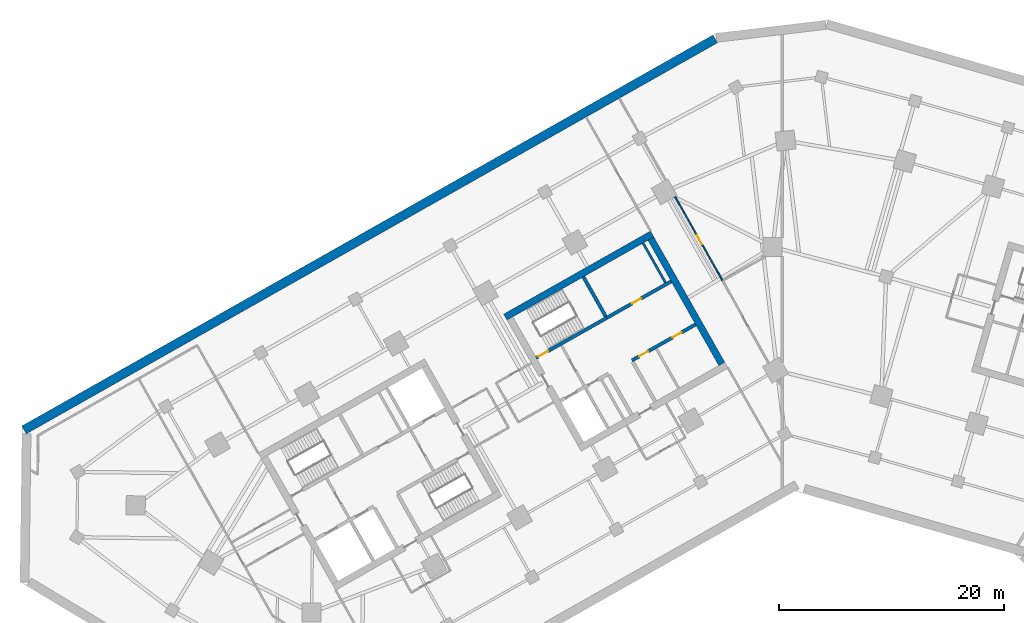
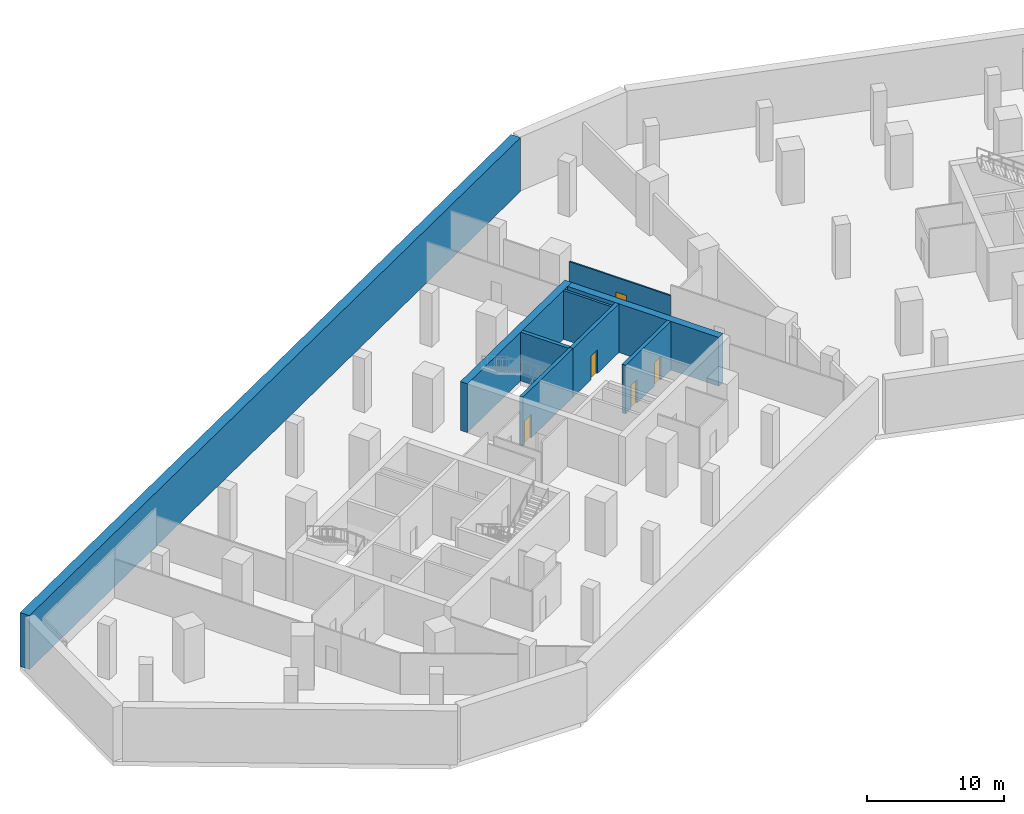
# One storey, part 7 of 13: 9 walls, 5 doors, 5 openings.
"""IFC4 building model written with IfcOpenShell, lengths in metres."""

from ifc_helpers import new_model, si_unit, direction, frame, frame_2d, origin, place, context, subcontext, project, spatial, rectangle, extrude, material, layer, layer_set, type_object, element, fill, save


model = new_model("IFC4")

# Units and contexts
model_context = context("Model", 3, precision=1e-05, world=origin(), true_north=direction((0.0, 1.0)))
body_context = subcontext(model_context, "Body", "Model", "MODEL_VIEW")
ifc_project = project(units=[si_unit("LENGTHUNIT", "METRE"), si_unit("AREAUNIT", "SQUARE_METRE"), si_unit("VOLUMEUNIT", "CUBIC_METRE"), si_unit("PLANEANGLEUNIT", "RADIAN"), si_unit("MASSUNIT", "GRAM", prefix="KILO")], contexts=[model_context])

# Site, building, storey
site_placement = place(None, origin())
site = spatial("IfcSite", under=ifc_project, at=site_placement, CompositionType="ELEMENT")
building_placement = place(site_placement, origin())
building = spatial("IfcBuilding", under=site, at=building_placement, Name="Binnacle Exchange Tower", CompositionType="ELEMENT")
storey_placement = place(building_placement, frame((0.0, 0.0, -4.800048828125)))
storey = spatial("IfcBuildingStorey", under=building, at=storey_placement, Name="B1", CompositionType="ELEMENT", Elevation=-4.800048828125)

# Wall
ifc_material_1 = material(Name="Concrete C40/50", Category="concrete")
ifc_layer_1 = layer(ifc_material_1, 0.800048828125)
ifc_layer_set_1 = layer_set([ifc_layer_1], Name="Basement retaining wall 800 Concrete C40/50")
wall_type_1 = type_object("IfcWallType", Name="Basement retaining wall 800 Concrete C40/50", PredefinedType="SOLIDWALL", material=ifc_layer_set_1)
wall_1_placement = place(storey_placement, frame((-5.97119140625, 78.502685546875, 0.0), z_axis=(0.0, 0.0, 1.0), x_axis=(-0.870356741611, -0.492421711882, 0.0)))
element("IfcWall", 1, at=wall_1_placement, inside=storey, type_object=wall_type_1, Name="S:RW:B1:04", PredefinedType="SOLIDWALL", context=body_context, shape_type="SweptSolid", body=[
    extrude(rectangle(XDim=70.604248046875, YDim=0.800048828125, at=frame_2d((35.30224609375, 0.0))), origin(), (0.0, 0.0, 1.0), 4.800048828125),
])

# Wall, openings, doors
ifc_material_2 = material(Name="Concrete C70/85", Category="concrete")
ifc_layer_2 = layer(ifc_material_2, 0.300048828125)
ifc_layer_set_2 = layer_set([ifc_layer_2], Name="Core wall - front 300")
wall_type_2 = type_object("IfcWallType", Name="Core wall - front 300", PredefinedType="SOLIDWALL", material=ifc_layer_set_2)
wall_2_placement = place(storey_placement, frame((-13.364501953125, 49.910888671875, 0.0), z_axis=(0.0, 0.0, 1.0), x_axis=(0.870340995471, 0.49244954219, 0.0)))
wall_2 = element("IfcWall", 2, at=wall_2_placement, inside=storey, type_object=wall_type_2, Name="Core wall CRWC3", PredefinedType="SOLIDWALL", context=body_context, shape_type="SweptSolid", body=[
    extrude(rectangle(XDim=6.5, YDim=0.300048828125, at=frame_2d((3.25, 0.0))), origin(), (0.0, 0.0, 1.0), 4.35009765625),
])
opening_1_placement = place(wall_2_placement, frame((0.75, 0.0, 0.0)))
opening_1 = element("IfcOpeningElement", 3, at=opening_1_placement, cuts=wall_2, Name="Opening DC18", PredefinedType="OPENING", context=body_context, shape_type="SweptSolid", body=[
    extrude(rectangle(XDim=0.89990234375, YDim=2.10009765625, at=frame_2d((0.449951171875, 1.050048828125))), frame((0.0, 0.159912109375, 0.0), z_axis=(0.0, -1.0, 0.0), x_axis=(1.0, 0.0, 0.0)), (0.0, 0.0, 1.0), 0.320068359375),
])
opening_2_placement = place(wall_2_placement, frame((4.14990234375, 0.0, 0.0)))
opening_2 = element("IfcOpeningElement", 4, at=opening_2_placement, cuts=wall_2, Name="Opening DC19", PredefinedType="OPENING", context=body_context, shape_type="SweptSolid", body=[
    extrude(rectangle(XDim=0.89990234375, YDim=2.10009765625, at=frame_2d((0.449951171875, 1.050048828125))), frame((0.0, 0.159912109375, 0.0), z_axis=(0.0, -1.0, 0.0), x_axis=(1.0, 0.0, 0.0)), (0.0, 0.0, 1.0), 0.320068359375),
])
ifc_material_3 = material(Name="Steel door leaf", Category="steel")
door_type_1 = type_object("IfcDoorType", Name="Fire door 900", OperationType="NOTDEFINED", PredefinedType="DOOR", material=ifc_material_3)
door_1_placement = place(opening_1_placement, frame((0.89990234375, 0.0, 0.0), z_axis=(0.0, 0.0, 1.0), x_axis=(-1.0, 0.0, 0.0)))
door_1 = element("IfcDoor", 5, at=door_1_placement, inside=storey, type_object=door_type_1, Name="Core room door IT STORE", OperationType="SINGLE_SWING_RIGHT", OverallHeight=2.10009765625, OverallWidth=0.89990234375, PredefinedType="DOOR", context=body_context, shape_type="SweptSolid", body=[
    extrude(rectangle(XDim=0.89990234375, YDim=2.10009765625, at=frame_2d((0.449951171875, 1.050048828125))), frame((0.0, 0.02490234375, 0.0), z_axis=(0.0, -1.0, 0.0), x_axis=(1.0, 0.0, 0.0)), (0.0, 0.0, 1.0), 0.050048828125),
])
fill(opening_1, door_1)
door_2_placement = place(opening_2_placement, frame((0.89990234375, 0.0, 0.0), z_axis=(0.0, 0.0, 1.0), x_axis=(-1.0, 0.0, 0.0)))
door_2 = element("IfcDoor", 6, at=door_2_placement, inside=storey, type_object=door_type_1, Name="Core room door TELECOM RISER ROOM", OperationType="SINGLE_SWING_LEFT", OverallHeight=2.10009765625, OverallWidth=0.89990234375, PredefinedType="DOOR", context=body_context, shape_type="SweptSolid", body=[
    extrude(rectangle(XDim=0.89990234375, YDim=2.10009765625, at=frame_2d((0.449951171875, 1.050048828125))), frame((0.0, 0.02490234375, 0.0), z_axis=(0.0, -1.0, 0.0), x_axis=(1.0, 0.0, 0.0)), (0.0, 0.0, 1.0), 0.050048828125),
])
fill(opening_2, door_2)

# Wall, opening, door
wall_3_placement = place(storey_placement, frame((-15.6181640625, 53.69140625, 0.0), z_axis=(0.0, 0.0, 1.0), x_axis=(0.870356769198, 0.492421663121, 0.0)))
wall_3 = element("IfcWall", 7, at=wall_3_placement, inside=storey, type_object=wall_type_2, Name="Core wall CRWC5", PredefinedType="SOLIDWALL", context=body_context, shape_type="SweptSolid", body=[
    extrude(rectangle(XDim=6.60009765625, YDim=0.300048828125, at=frame_2d((3.300048828125, 0.0))), origin(), (0.0, 0.0, 1.0), 4.35009765625),
])
opening_3_placement = place(wall_3_placement, frame((2.60009765625, 0.0, 0.0)))
opening_3 = element("IfcOpeningElement", 8, at=opening_3_placement, cuts=wall_3, Name="Opening DC10", PredefinedType="OPENING", context=body_context, shape_type="SweptSolid", body=[
    extrude(rectangle(XDim=0.89990234375, YDim=2.10009765625, at=frame_2d((0.449951171875, 1.050048828125))), frame((0.0, 0.159912109375, 0.0), z_axis=(0.0, -1.0, 0.0), x_axis=(1.0, 0.0, 0.0)), (0.0, 0.0, 1.0), 0.320068359375),
])
door_3_placement = place(opening_3_placement, origin())
door_3 = element("IfcDoor", 9, at=door_3_placement, inside=storey, type_object=door_type_1, Name="Core room door STAFF PANTRY AND STORE", OperationType="SINGLE_SWING_LEFT", OverallHeight=2.10009765625, OverallWidth=0.89990234375, PredefinedType="DOOR", context=body_context, shape_type="SweptSolid", body=[
    extrude(rectangle(XDim=0.89990234375, YDim=2.10009765625, at=frame_2d((0.449951171875, 1.050048828125))), frame((0.0, 0.02490234375, 0.0), z_axis=(0.0, -1.0, 0.0), x_axis=(1.0, 0.0, 0.0)), (0.0, 0.0, 1.0), 0.050048828125),
])
fill(opening_3, door_3)

# Walls
ifc_layer_3 = layer(ifc_material_2, 0.60009765625)
ifc_layer_set_3 = layer_set([ifc_layer_3], Name="Core wall - outer 600")
wall_type_3 = type_object("IfcWallType", Name="Core wall - outer 600", PredefinedType="SOLIDWALL", material=ifc_layer_set_3)
wall_4_placement = place(storey_placement, frame((-24.622802734375, 53.76708984375, 0.0), z_axis=(0.0, 0.0, 1.0), x_axis=(0.870356627484, 0.492421913601, 0.0)))
element("IfcWall", 10, at=wall_4_placement, inside=storey, type_object=wall_type_3, Name="Core wall CRWC6", PredefinedType="SOLIDWALL", context=body_context, shape_type="SweptSolid", body=[
    extrude(rectangle(XDim=14.999755859375, YDim=0.60009765625, at=frame_2d((7.5, 0.0))), origin(), (0.0, 0.0, 1.0), 4.35009765625),
])
wall_5_placement = place(storey_placement, frame((-11.680908203125, 60.744384765625, 0.0), z_axis=(0.0, 0.0, 1.0), x_axis=(0.492426772896, -0.870353878221, 0.0)))
element("IfcWall", 11, at=wall_5_placement, inside=storey, type_object=wall_type_3, Name="Core wall CRWC24", PredefinedType="SOLIDWALL", context=body_context, shape_type="SweptSolid", body=[
    extrude(rectangle(XDim=12.7998046875, YDim=0.60009765625, at=frame_2d((6.39990234375, 0.0))), origin(), (0.0, 0.0, 1.0), 4.35009765625),
])

# Wall, opening, door
ifc_layer_4 = layer(ifc_material_2, 0.300048828125)
ifc_layer_set_4 = layer_set([ifc_layer_4], Name="Core wall - stair 300")
wall_type_4 = type_object("IfcWallType", Name="Core wall - stair 300", PredefinedType="SOLIDWALL", material=ifc_layer_set_4)
wall_6_placement = place(storey_placement, frame((-21.884765625, 50.14599609375, 0.0), z_axis=(0.0, 0.0, 1.0), x_axis=(0.870359411463, 0.492416992881, 0.0)))
wall_6 = element("IfcWall", 12, at=wall_6_placement, inside=storey, type_object=wall_type_4, Name="Core wall CRWC4", PredefinedType="SOLIDWALL", context=body_context, shape_type="SweptSolid", body=[
    extrude(rectangle(XDim=7.199951171875, YDim=0.300048828125, at=frame_2d((3.60009765625, 0.0))), origin(), (0.0, 0.0, 1.0), 4.35009765625),
])
opening_4_placement = place(wall_6_placement, frame((0.199951171875, 0.0, 0.0)))
opening_4 = element("IfcOpeningElement", 13, at=opening_4_placement, cuts=wall_6, Name="Opening DC1", PredefinedType="OPENING", context=body_context, shape_type="SweptSolid", body=[
    extrude(rectangle(XDim=1.0, YDim=2.10009765625, at=frame_2d((0.5, 1.050048828125))), frame((0.0, 0.159912109375, 0.0), z_axis=(0.0, -1.0, 0.0), x_axis=(1.0, 0.0, 0.0)), (0.0, 0.0, 1.0), 0.320068359375),
])
door_type_2 = type_object("IfcDoorType", Name="Fire door 1000", OperationType="NOTDEFINED", PredefinedType="DOOR", material=ifc_material_3)
door_4_placement = place(opening_4_placement, origin())
door_4 = element("IfcDoor", 14, at=door_4_placement, inside=storey, type_object=door_type_2, Name="Stair door ST-C1", OperationType="SINGLE_SWING_LEFT", OverallHeight=2.10009765625, OverallWidth=1.0, PredefinedType="DOOR", context=body_context, shape_type="SweptSolid", body=[
    extrude(rectangle(XDim=1.0, YDim=2.10009765625, at=frame_2d((0.5, 1.050048828125))), frame((0.0, 0.02490234375, 0.0), z_axis=(0.0, -1.0, 0.0), x_axis=(1.0, 0.0, 0.0)), (0.0, 0.0, 1.0), 0.050048828125),
])
fill(opening_4, door_4)

# Wall
wall_7_placement = place(storey_placement, frame((-17.686279296875, 57.3466796875, 0.0), z_axis=(0.0, 0.0, 1.0), x_axis=(0.492420746998, -0.870357287513, 0.0)))
element("IfcWall", 15, at=wall_7_placement, inside=storey, type_object=wall_type_4, Name="Core wall CRWC14", PredefinedType="SOLIDWALL", context=body_context, shape_type="SweptSolid", body=[
    extrude(rectangle(XDim=4.049560546875, YDim=0.300048828125, at=frame_2d((2.02490234375, 0.0))), origin(), (0.0, 0.0, 1.0), 4.35009765625),
])

# Wall, opening, door
ifc_material_4 = material(Name="Gypsum partition")
ifc_layer_5 = layer(ifc_material_4, 0.125)
ifc_layer_set_5 = layer_set([ifc_layer_5], Name="Partition 125")
wall_type_5 = type_object("IfcWallType", Name="Partition 125", PredefinedType="PARTITIONING", material=ifc_layer_set_5)
wall_8_placement = place(storey_placement, frame((-9.531982421875, 64.469970703125, 0.0), z_axis=(0.0, 0.0, 1.0), x_axis=(0.492882680299, -0.870095778326, 0.0)))
wall_8 = element("IfcWall", 16, at=wall_8_placement, inside=storey, type_object=wall_type_5, Name="Partition W30", PredefinedType="PARTITIONING", context=body_context, shape_type="SweptSolid", body=[
    extrude(rectangle(XDim=8.583984375, YDim=0.125, at=frame_2d((4.2919921875, 0.0))), origin(), (0.0, 0.0, 1.0), 3.412109375),
])
opening_5_placement = place(wall_8_placement, frame((3.949951171875, 0.0, 0.0)))
opening_5 = element("IfcOpeningElement", 17, at=opening_5_placement, cuts=wall_8, Name="Opening DB1-09", PredefinedType="OPENING", context=body_context, shape_type="SweptSolid", body=[
    extrude(rectangle(XDim=0.89990234375, YDim=2.10009765625, at=frame_2d((0.449951171875, 1.050048828125))), frame((0.0, 0.072509765625, 0.0), z_axis=(0.0, -1.0, 0.0), x_axis=(1.0, 0.0, 0.0)), (0.0, 0.0, 1.0), 0.14501953125),
])
ifc_material_5 = material(Name="Timber door leaf", Category="wood")
door_type_3 = type_object("IfcDoorType", Name="Door 900", OperationType="NOTDEFINED", PredefinedType="DOOR", material=ifc_material_5)
door_5_placement = place(opening_5_placement, origin())
door_5 = element("IfcDoor", 18, at=door_5_placement, inside=storey, type_object=door_type_3, Name="Door DB1-09", OperationType="SINGLE_SWING_RIGHT", OverallHeight=2.10009765625, OverallWidth=0.89990234375, PredefinedType="DOOR", context=body_context, shape_type="SweptSolid", body=[
    extrude(rectangle(XDim=0.89990234375, YDim=2.10009765625, at=frame_2d((0.449951171875, 1.050048828125))), frame((0.0, 0.02490234375, 0.0), z_axis=(0.0, -1.0, 0.0), x_axis=(1.0, 0.0, 0.0)), (0.0, 0.0, 1.0), 0.050048828125),
])
fill(opening_5, door_5)

# Wall
ifc_material_6 = material(Name="Masonry block wall", Category="masonry")
ifc_layer_6 = layer(ifc_material_6, 0.199951171875)
ifc_layer_set_6 = layer_set([ifc_layer_6], Name="Riser wall 200")
wall_type_6 = type_object("IfcWallType", Name="Riser wall 200", PredefinedType="SOLIDWALL", material=ifc_layer_set_6)
wall_9_placement = place(storey_placement, frame((-12.377197265625, 60.3505859375, 0.0), z_axis=(0.0, 0.0, 1.0), x_axis=(0.492440575896, -0.870346068648, 0.0)))
element("IfcWall", 19, at=wall_9_placement, inside=storey, type_object=wall_type_6, Name="Core wall CRWC23", PredefinedType="SOLIDWALL", context=body_context, shape_type="SweptSolid", body=[
    extrude(rectangle(XDim=4.050048828125, YDim=0.199951171875, at=frame_2d((2.02490234375, 0.0))), origin(), (0.0, 0.0, 1.0), 4.35009765625),
])

save(model, "model.ifc")
